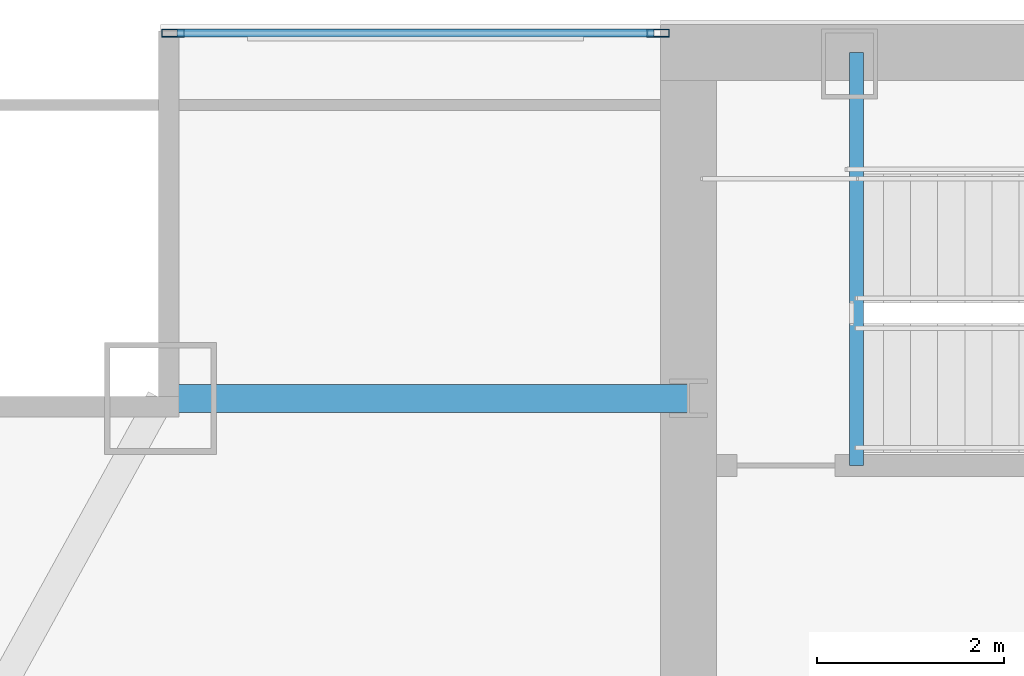
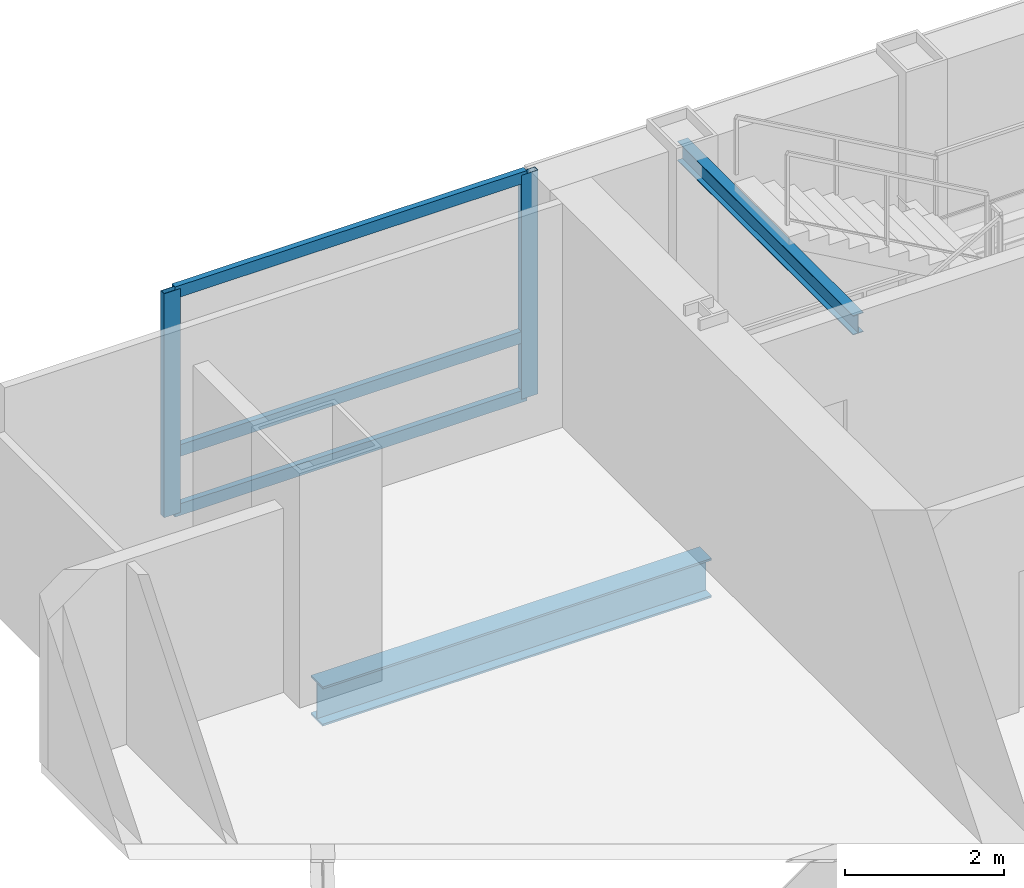
# One storey, part 21 of 30: 5 members, 2 beams, 1 element without a shape of its own.
"""IFC4 building model written with IfcOpenShell, lengths in metres."""

from ifc_helpers import new_model, si_unit, direction, frame, origin, origin_2d, place, context, subcontext, project, spatial, hollow_rectangle, i_section, extrude, material, material_profile, profile_set, type_object, element, aggregate, save


model = new_model("IFC4")

# Units and contexts
model_context = context("Model", 3, precision=1e-05, world=origin(), true_north=direction((0.0, 1.0)))
body_context = subcontext(model_context, "Body", "Model", "MODEL_VIEW")
ifc_project = project(units=[si_unit("LENGTHUNIT", "METRE"), si_unit("AREAUNIT", "SQUARE_METRE"), si_unit("VOLUMEUNIT", "CUBIC_METRE"), si_unit("PLANEANGLEUNIT", "RADIAN"), si_unit("MASSUNIT", "GRAM", prefix="KILO")], contexts=[model_context])

# Site, building, storey
site_placement = place(None, origin())
site = spatial("IfcSite", under=ifc_project, at=site_placement, CompositionType="ELEMENT")
building_placement = place(site_placement, origin())
building = spatial("IfcBuilding", under=site, at=building_placement, Name="Khoronbel Lancet Exchange", CompositionType="ELEMENT")
storey_placement = place(building_placement, frame((0.0, 0.0, 224.60009765625)))
storey = spatial("IfcBuildingStorey", under=building, at=storey_placement, Name="L57", CompositionType="ELEMENT", Elevation=224.60009765625)

# Beams
ifc_material_1 = material(Name="Steel S355", Category="steel")
ifc_material_profile_1 = material_profile(ifc_material_1, i_section(OverallWidth=0.14990234375, OverallDepth=0.300048828125, WebThickness=0.007080078125, FlangeThickness=0.0107421875, at=origin_2d()), Name="IPE 300")
ifc_profile_set_1 = profile_set([ifc_material_profile_1], Name="Steel S355")
beam_type_1 = type_object("IfcBeamType", Name="BM-BJ8", PredefinedType="JOIST", material=ifc_profile_set_1)
beam_1_placement = place(storey_placement, frame((18.300048828125, 48.97998046875, 3.159912109375), z_axis=(0.0, 1.0, 0.0), x_axis=(-1.0, 0.0, 0.0)))
element("IfcBeam", 1, at=beam_1_placement, inside=storey, type_object=beam_type_1, Name="Level L57 stair ST1 upper-flight arrival trimmer beam", PredefinedType="JOIST", context=body_context, shape_type="SweptSolid", body=[
    extrude(i_section(OverallWidth=0.14990234375, OverallDepth=0.300048828125, WebThickness=0.007080078125, FlangeThickness=0.0107421875, at=origin_2d()), origin(), (0.0, 0.0, 1.0), 4.419921875),
])
ifc_material_profile_2 = material_profile(ifc_material_1, i_section(OverallWidth=0.300048828125, OverallDepth=0.60009765625, WebThickness=0.015380859375, FlangeThickness=0.030029296875, at=origin_2d()), Name="HEB 600")
ifc_profile_set_2 = profile_set([ifc_material_profile_2], Name="Steel S355")
beam_type_2 = type_object("IfcBeamType", Name="BM-BSP2", PredefinedType="SPANDREL", material=ifc_profile_set_2)
beam_2_placement = place(storey_placement, frame((10.85009765625, 49.699951171875, -0.460205078125), z_axis=(1.0, 0.0, 0.0), x_axis=(0.0, 1.0, 0.0)))
element("IfcBeam", 2, at=beam_2_placement, inside=storey, type_object=beam_type_2, Name="Level L57 north flank tie spandrel SP22", PredefinedType="SPANDREL", context=body_context, shape_type="SweptSolid", body=[
    extrude(i_section(OverallWidth=0.300048828125, OverallDepth=0.60009765625, WebThickness=0.015380859375, FlangeThickness=0.030029296875, at=origin_2d()), origin(), (0.0, 0.0, 1.0), 5.64990234375),
])

# Curtain wall, members
ifc_material_2 = material(Name="Low-E Solar Control Insulating Glass", Category="glass")
curtain_wall_type = type_object("IfcCurtainWallType", Name="CW-3", PredefinedType="NOTDEFINED", material=ifc_material_2)
curtain_wall_placement = place(storey_placement, origin())
curtain_wall = element("IfcCurtainWall", 3, at=curtain_wall_placement, inside=storey, type_object=curtain_wall_type, Name="Unitised curtain wall CW-L57-NWFLK", PredefinedType="NOTDEFINED")
ifc_material_3 = material(Name="Bronze-Anodised Aluminium 6063-T6", Category="aluminium")
ifc_material_profile_3 = material_profile(ifc_material_3, hollow_rectangle(XDim=0.0849609375, YDim=0.239990234375, WallThickness=0.006103515625, at=origin_2d()), Name="ALU MULLION 85x240")
ifc_profile_set_3 = profile_set([ifc_material_profile_3], Name="Bronze-Anodised Aluminium 6063-T6")
member_type_1 = type_object("IfcMemberType", Name="MEM-CWM1", PredefinedType="MULLION", material=ifc_profile_set_3)
member_1_placement = place(storey_placement, frame((16.177490234375, 53.610107421875, 0.0), z_axis=(0.0, 0.0, 1.0), x_axis=(0.0, -1.0, 0.0)))
member_1 = element("IfcMember", 4, at=member_1_placement, type_object=member_type_1, Name="CW3 mullion 1", PredefinedType="MULLION", context=body_context, shape_type="SweptSolid", body=[
    extrude(hollow_rectangle(XDim=0.0849609375, YDim=0.239990234375, WallThickness=0.006103515625, at=origin_2d()), origin(), (0.0, 0.0, 1.0), 3.43994140625),
])
member_2_placement = place(storey_placement, frame((10.982421875, 53.610107421875, 0.0), z_axis=(0.0, 0.0, 1.0), x_axis=(0.0, -1.0, 0.0)))
member_2 = element("IfcMember", 5, at=member_2_placement, type_object=member_type_1, Name="CW3 mullion 2", PredefinedType="MULLION", context=body_context, shape_type="SweptSolid", body=[
    extrude(hollow_rectangle(XDim=0.0849609375, YDim=0.239990234375, WallThickness=0.006103515625, at=origin_2d()), origin(), (0.0, 0.0, 1.0), 3.43994140625),
])
ifc_material_profile_4 = material_profile(ifc_material_3, hollow_rectangle(XDim=0.0849609375, YDim=0.179931640625, WallThickness=0.0048828125, at=origin_2d()), Name="ALU TRANSOM 85x180")
ifc_profile_set_4 = profile_set([ifc_material_profile_4], Name="Bronze-Anodised Aluminium 6063-T6")
member_type_2 = type_object("IfcMemberType", Name="MEM-CWT1", PredefinedType="USERDEFINED", material=ifc_profile_set_4)
member_3_placement = place(storey_placement, frame((16.135009765625, 53.610107421875, 0.04248046875), z_axis=(-1.0, 0.0, 0.0), x_axis=(0.0, -1.0, 0.0)))
member_3 = element("IfcMember", 6, at=member_3_placement, type_object=member_type_2, Name="CW3 transom 1.1", ObjectType="TRANSOM", PredefinedType="USERDEFINED", context=body_context, shape_type="SweptSolid", body=[
    extrude(hollow_rectangle(XDim=0.0849609375, YDim=0.179931640625, WallThickness=0.0048828125, at=origin_2d()), origin(), (0.0, 0.0, 1.0), 5.110107421875),
])
member_4_placement = place(storey_placement, frame((16.135009765625, 53.610107421875, 0.949951171875), z_axis=(-1.0, 0.0, 0.0), x_axis=(0.0, -1.0, 0.0)))
member_4 = element("IfcMember", 7, at=member_4_placement, type_object=member_type_2, Name="CW3 transom 1.2", ObjectType="TRANSOM", PredefinedType="USERDEFINED", context=body_context, shape_type="SweptSolid", body=[
    extrude(hollow_rectangle(XDim=0.0849609375, YDim=0.179931640625, WallThickness=0.0048828125, at=origin_2d()), origin(), (0.0, 0.0, 1.0), 5.110107421875),
])
member_5_placement = place(storey_placement, frame((16.135009765625, 53.610107421875, 3.3974609375), z_axis=(-1.0, 0.0, 0.0), x_axis=(0.0, -1.0, 0.0)))
member_5 = element("IfcMember", 8, at=member_5_placement, type_object=member_type_2, Name="CW3 transom 1.3", ObjectType="TRANSOM", PredefinedType="USERDEFINED", context=body_context, shape_type="SweptSolid", body=[
    extrude(hollow_rectangle(XDim=0.0849609375, YDim=0.179931640625, WallThickness=0.0048828125, at=origin_2d()), origin(), (0.0, 0.0, 1.0), 5.110107421875),
])
aggregate(curtain_wall, [member_1, member_2, member_3, member_4, member_5])

save(model, "model.ifc")
